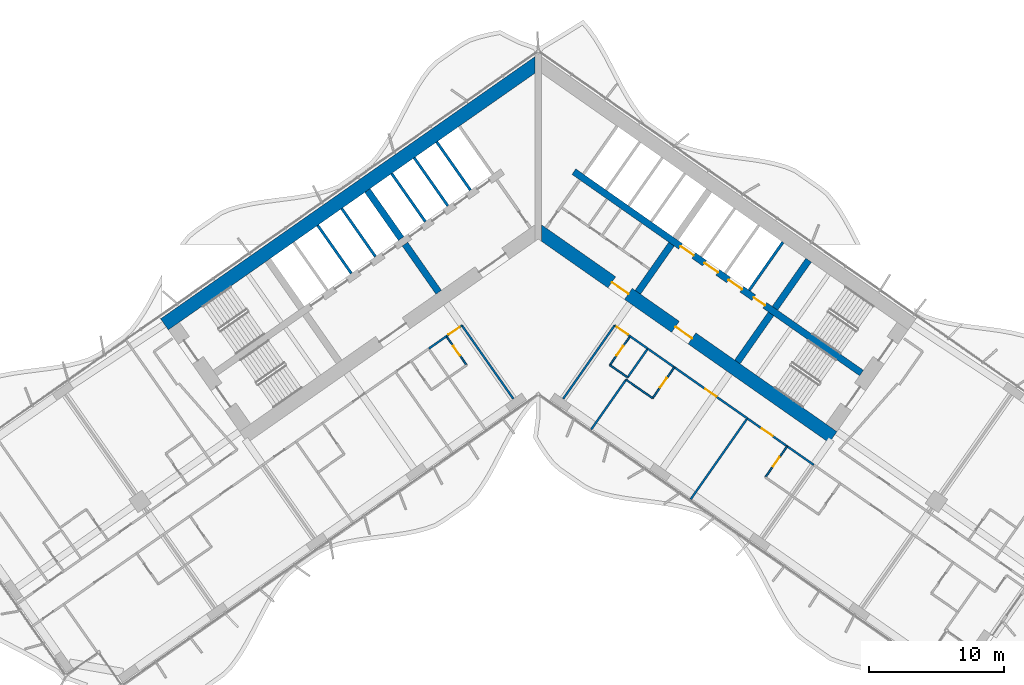
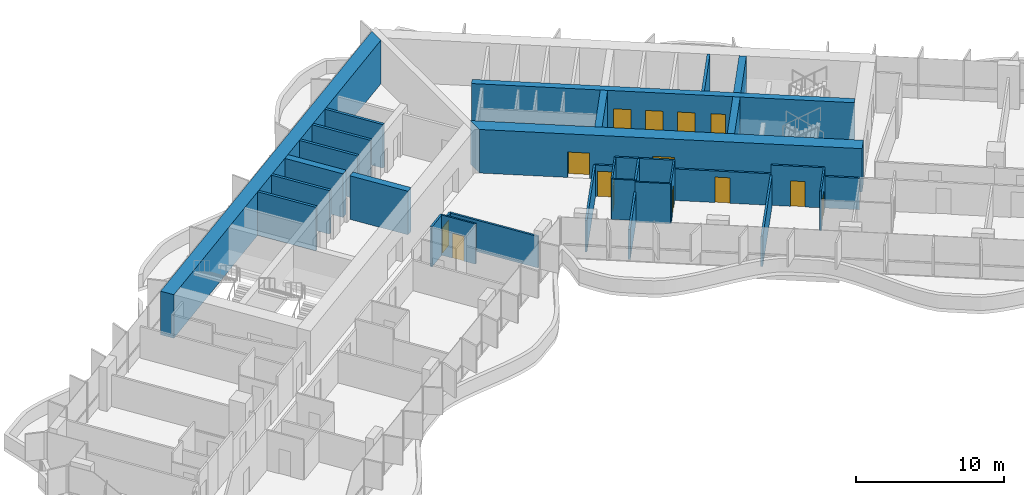
# One storey, part 15 of 25: 33 walls, 14 doors, 14 openings.
"""IFC4 building model written with IfcOpenShell, lengths in metres."""

import ifcopenshell
import ifcopenshell.guid

model = None  # the IFC model being written
_history = None  # IfcOwnerHistory: only IFC2X3 demands one
_inside = {}  # id of a spatial element -> (the spatial element, [elements in it])
_under = {}  # id of a project, library or spatial element -> (it, [spatial elements below it])
_declared = {}  # id of a project -> (the project, [libraries it declares])
_typed = {}  # id of a type object -> (the type object, [elements of that type])
_made_of = {}  # id of a material, layer set ... -> (it, [elements and type objects made of it])


def new_model(schema):
    """Start an empty IFC model of exactly this schema.

    Asked for "IFC4X3", IfcOpenShell would pick the latest addendum, in which some entities
    have other attributes; the version numbers below select the first issue.
    IFC2X3 requires an IfcOwnerHistory on every rooted entity: one is made here for all.
    """
    global model, _history
    if schema == "IFC4X3":
        model = ifcopenshell.file(schema_version=(4, 3, 0, 0))
    else:
        model = ifcopenshell.file(schema=schema)
    _inside.clear()
    _under.clear()
    _declared.clear()
    _typed.clear()
    _made_of.clear()
    _history = None
    if model.schema == "IFC2X3":
        org = make("IfcOrganization", Name="unknown")
        user = make(
            "IfcPersonAndOrganization",
            ThePerson=make("IfcPerson", FamilyName="unknown"),
            TheOrganization=org,
        )
        app = make(
            "IfcApplication",
            ApplicationDeveloper=org,
            Version="unknown",
            ApplicationFullName="unknown",
            ApplicationIdentifier="unknown",
        )
        _history = make(
            "IfcOwnerHistory",
            OwningUser=user,
            OwningApplication=app,
            ChangeAction="ADDED",
            CreationDate=0,
        )
    return model


def make(cls, **values):
    """One entity of the class cls with the attributes given. An attribute that is None is left unset."""
    return model.create_entity(
        cls, **{name: value for name, value in values.items() if value is not None}
    )


def rooted(cls, **values):
    """An entity with a GlobalId (a new one), such as an element, a storey or a relation."""
    return make(cls, GlobalId=ifcopenshell.guid.new(), OwnerHistory=_history, **values)


def si_unit(unit_type, name, prefix=None):
    """IfcSIUnit, for example si_unit("LENGTHUNIT", "METRE", prefix="MILLI")."""
    return make("IfcSIUnit", UnitType=unit_type, Prefix=prefix, Name=name)


def assignment(units):
    """IfcUnitAssignment: the units of a project."""
    return None if units is None else make("IfcUnitAssignment", Units=units)


def point(xyz):
    """IfcCartesianPoint."""
    return None if xyz is None else make("IfcCartesianPoint", Coordinates=xyz)


def direction(xyz):
    """IfcDirection."""
    return None if xyz is None else make("IfcDirection", DirectionRatios=xyz)


def frame(location, z_axis=None, x_axis=None):
    """IfcAxis2Placement3D, a coordinate frame: its origin and axes. An axis left out is left unset."""
    return make(
        "IfcAxis2Placement3D",
        Location=point(location),
        Axis=direction(z_axis),
        RefDirection=direction(x_axis),
    )


def frame_2d(location, x_axis=None):
    """IfcAxis2Placement2D, a coordinate frame in the plane: its origin and x axis."""
    return make(
        "IfcAxis2Placement2D", Location=point(location), RefDirection=direction(x_axis)
    )


def origin():
    """The frame at (0, 0, 0) with its axes left unset."""
    return frame((0.0, 0.0, 0.0))


def place(relative_to, where):
    """IfcLocalPlacement: puts the frame where relative to a parent placement (None: the world)."""
    return make(
        "IfcLocalPlacement", PlacementRelTo=relative_to, RelativePlacement=where
    )


def context(
    kind, dimensions, precision=None, world=None, true_north=None, identifier=None
):
    """IfcGeometricRepresentationContext, for example the 3D "Model" context."""
    return make(
        "IfcGeometricRepresentationContext",
        ContextIdentifier=identifier,
        ContextType=kind,
        CoordinateSpaceDimension=dimensions,
        Precision=precision,
        WorldCoordinateSystem=world,
        TrueNorth=true_north,
    )


def subcontext(parent, identifier, kind, view, scale=None):
    """IfcGeometricRepresentationSubContext, for example "Body" below "Model"."""
    return make(
        "IfcGeometricRepresentationSubContext",
        ContextIdentifier=identifier,
        ContextType=kind,
        ParentContext=parent,
        TargetScale=scale,
        TargetView=view,
    )


def project(units=None, contexts=None):
    """IfcProject with its units and contexts."""
    return rooted(
        "IfcProject",
        Name="project",
        RepresentationContexts=contexts,
        UnitsInContext=assignment(units),
    )


def spatial(cls, under=None, at=None, **own):
    """A site, building, storey or space (cls), placed at a placement, below another one or the project."""
    s = rooted(cls, ObjectPlacement=at, **own)
    if under is not None:
        _under.setdefault(under.id(), (under, []))[1].append(s)
    return s


def polyline(points):
    """IfcPolyline through the points."""
    return make("IfcPolyline", Points=[point(p) for p in points])


def profile(cls, at=None, kind="AREA", **sizes):
    """A parametric profile (cls). Its sizes go by their IFC names, for example OverallWidth=200.0."""
    return make(cls, ProfileType=kind, Position=at, **sizes)


def rectangle(**sizes):
    """IfcRectangleProfileDef."""
    return profile("IfcRectangleProfileDef", **sizes)


def outline(outer, holes=None, kind="AREA"):
    """IfcArbitraryClosedProfileDef: a profile drawn as a closed curve; with holes, ...WithVoids."""
    if holes is None:
        return make("IfcArbitraryClosedProfileDef", ProfileType=kind, OuterCurve=outer)
    return make(
        "IfcArbitraryProfileDefWithVoids",
        ProfileType=kind,
        OuterCurve=outer,
        InnerCurves=holes,
    )


def extrude(swept, where, along, depth):
    """IfcExtrudedAreaSolid: the profile swept, set in the frame where, extruded along a direction by depth."""
    return make(
        "IfcExtrudedAreaSolid",
        SweptArea=swept,
        Position=where,
        ExtrudedDirection=direction(along),
        Depth=depth,
    )


def shape(context_of_items, identifier, shape_type, items):
    """IfcShapeRepresentation: the items that make up one representation, for example the "Body"."""
    return make(
        "IfcShapeRepresentation",
        ContextOfItems=context_of_items,
        RepresentationIdentifier=identifier,
        RepresentationType=shape_type,
        Items=items,
    )


def material(Name=None, Category=None):
    """IfcMaterial."""
    return make("IfcMaterial", Name=Name, Category=Category)


def layer(
    of_material, thickness, ventilated=None, Name=None, Category=None, Priority=None
):
    """IfcMaterialLayer: one layer of a wall or slab, of a material (None: an air gap)."""
    return make(
        "IfcMaterialLayer",
        Material=of_material,
        LayerThickness=thickness,
        IsVentilated=ventilated,
        Name=Name,
        Category=Category,
        Priority=Priority,
    )


def layer_set(layers, Name=None):
    """IfcMaterialLayerSet."""
    return make("IfcMaterialLayerSet", MaterialLayers=layers, LayerSetName=Name)


def made_of(thing, what):
    """Note that an element or type object is made of a material, layer set ...; save() writes the relation."""
    if what is not None:
        _made_of.setdefault(what.id(), (what, []))[1].append(thing)
    return thing


def type_object(cls, material=None, **own):
    """A type object (cls), such as IfcWallType, which elements share."""
    return made_of(rooted(cls, **own), material)


def element(
    cls,
    number,
    at=None,
    inside=None,
    cuts=None,
    type_object=None,
    material=None,
    context=None,
    identifier="Body",
    shape_type=None,
    held_by="IfcProductDefinitionShape",
    body=None,
    shapes=None,
    **own,
):
    """One element of the class cls, such as IfcWall. Its Tag is "e" and its number.

    at: its placement. inside: the storey or other place that contains it. cuts: it is an
    opening in that element (IfcRelVoidsElement). A single representation is given by context,
    identifier, shape_type and body (its items); several are given by shapes. held_by: the class
    of the entity that holds the representations. save() writes the other relations.
    """
    e = rooted(cls, Tag="e%d" % number, ObjectPlacement=at, **own)
    if body is not None:
        shapes = [shape(context, identifier, shape_type, body)]
    if shapes is not None:
        e.Representation = make(held_by, Representations=shapes)
    if inside is not None:
        _inside.setdefault(inside.id(), (inside, []))[1].append(e)
    if cuts is not None:
        rooted(
            "IfcRelVoidsElement", RelatingBuildingElement=cuts, RelatedOpeningElement=e
        )
    if type_object is not None:
        _typed.setdefault(type_object.id(), (type_object, []))[1].append(e)
    return made_of(e, material)


def fill(opening, filler):
    """IfcRelFillsElement: the door or window that sits in an opening."""
    return rooted(
        "IfcRelFillsElement",
        RelatingOpeningElement=opening,
        RelatedBuildingElement=filler,
    )


def aggregate(whole, parts):
    """IfcRelAggregates: a whole, such as a stair, and the parts it consists of."""
    return rooted("IfcRelAggregates", RelatingObject=whole, RelatedObjects=parts)


def save(model, path):
    """Write the relations noted so far, then the file.

    IfcRelAggregates (storeys below a building ...), IfcRelContainedInSpatialStructure (elements
    in a storey), IfcRelDefinesByType, IfcRelAssociatesMaterial and IfcRelDeclares: one each for
    every whole, place, type object, material and project.
    """
    for whole, parts in _under.values():
        aggregate(whole, parts)
    for where, things in _inside.values():
        rooted(
            "IfcRelContainedInSpatialStructure",
            RelatedElements=things,
            RelatingStructure=where,
        )
    for kind, things in _typed.values():
        rooted("IfcRelDefinesByType", RelatedObjects=things, RelatingType=kind)
    for what, things in _made_of.values():
        rooted("IfcRelAssociatesMaterial", RelatedObjects=things, RelatingMaterial=what)
    for by, libraries in _declared.values():
        rooted("IfcRelDeclares", RelatingContext=by, RelatedDefinitions=libraries)
    model.write(path)


model = new_model("IFC4")

# Units and contexts
model_context = context("Model", 3, precision=1e-05, world=origin(), true_north=direction((0.0, 1.0)))
body_context = subcontext(model_context, "Body", "Model", "MODEL_VIEW")
ifc_project = project(units=[si_unit("LENGTHUNIT", "METRE"), si_unit("AREAUNIT", "SQUARE_METRE"), si_unit("VOLUMEUNIT", "CUBIC_METRE"), si_unit("PLANEANGLEUNIT", "RADIAN"), si_unit("MASSUNIT", "GRAM", prefix="KILO")], contexts=[model_context])

# Site, building, storey
site_placement = place(None, origin())
site = spatial("IfcSite", under=ifc_project, at=site_placement, CompositionType="ELEMENT")
building_placement = place(site_placement, origin())
building = spatial("IfcBuilding", under=site, at=building_placement, Name="Tel Ilan Convention Tower", CompositionType="ELEMENT")
storey_placement = place(building_placement, frame((0.0, 0.0, 76.10009765625)))
storey = spatial("IfcBuildingStorey", under=building, at=storey_placement, Name="L14", CompositionType="ELEMENT", Elevation=76.10009765625)

# Wall
ifc_material_1 = material(Name="Concrete C60/75", Category="concrete")
ifc_layer_1 = layer(ifc_material_1, 1.0)
ifc_layer_set_1 = layer_set([ifc_layer_1], Name="Core Shear Wall 1000 mm C60/75")
wall_type_1 = type_object("IfcWallType", Name="Core Shear Wall 1000 mm C60/75", PredefinedType="SHEAR", material=ifc_layer_set_1)
wall_1_placement = place(storey_placement, frame((0.036865234375, 11.8671875, 0.0), z_axis=(0.0, 0.0, 1.0), x_axis=(-0.819155306259, -0.573571777746, 0.0)))
element("IfcWall", 1, at=wall_1_placement, inside=storey, type_object=wall_type_1, Name="L14 core wall W-back", PredefinedType="SHEAR", context=body_context, shape_type="SweptSolid", body=[
    extrude(outline(polyline([(33.8369140625, 0.5), (0.7001953125, 0.499755859375), (0.0, -0.5), (33.8369140625, -0.5), (33.8369140625, 0.5)])), origin(), (0.0, 0.0, 1.0), 3.599853515625),
])

# Wall, openings, doors
wall_2_placement = place(storey_placement, frame((-0.036865234375, -0.584716796875, 0.0), z_axis=(0.0, 0.0, 1.0), x_axis=(0.819157152511, -0.573569140985, 0.0)))
wall_2 = element("IfcWall", 2, at=wall_2_placement, inside=storey, type_object=wall_type_1, Name="L14 core wall E-front", PredefinedType="SHEAR", context=body_context, shape_type="SweptSolid", body=[
    extrude(outline(polyline([(26.69482421875, 0.499755859375), (0.0, 0.5), (0.7001953125, -0.499755859375), (26.69482421875, -0.500244140625), (26.69482421875, 0.499755859375)])), origin(), (0.0, 0.0, 1.0), 3.599853515625),
])
opening_1_placement = place(wall_2_placement, frame((6.69482421875, 0.0, 0.0)))
opening_1 = element("IfcOpeningElement", 3, at=opening_1_placement, cuts=wall_2, Name="Opening CD1403", PredefinedType="OPENING", context=body_context, shape_type="SweptSolid", body=[
    extrude(rectangle(XDim=1.5, YDim=2.10009765625, at=frame_2d((0.75, 1.050048828125))), frame((0.0, 0.510009765625, 0.0), z_axis=(0.0, -1.0, 0.0), x_axis=(1.0, 0.0, 0.0)), (0.0, 0.0, 1.0), 1.02001953125),
])
opening_2_placement = place(wall_2_placement, frame((12.44482421875, 0.0, 0.0)))
opening_2 = element("IfcOpeningElement", 4, at=opening_2_placement, cuts=wall_2, Name="Opening CD1404", PredefinedType="OPENING", context=body_context, shape_type="SweptSolid", body=[
    extrude(rectangle(XDim=1.5, YDim=2.10009765625, at=frame_2d((0.75, 1.050048828125))), frame((0.0, 0.510009765625, 0.0), z_axis=(0.0, -1.0, 0.0), x_axis=(1.0, 0.0, 0.0)), (0.0, 0.0, 1.0), 1.02001953125),
])
ifc_material_2 = material(Name="Glazed Aluminium Door Leaf", Category="aluminium")
door_type_1 = type_object("IfcDoorType", Name="Lobby Opening Door 1500 x 2100 FD60S", OperationType="NOTDEFINED", PredefinedType="DOOR", material=ifc_material_2)
door_1_placement = place(opening_2_placement, origin())
door_1 = element("IfcDoor", 5, at=door_1_placement, inside=storey, type_object=door_type_1, Name="Firefighting Lobby door", OperationType="DOUBLE_DOOR_SINGLE_SWING", OverallHeight=2.10009765625, OverallWidth=1.5, PredefinedType="DOOR", context=body_context, shape_type="SweptSolid", body=[
    extrude(rectangle(XDim=1.5, YDim=2.10009765625, at=frame_2d((0.75, 1.050048828125))), frame((0.0, 0.02490234375, 0.0), z_axis=(0.0, -1.0, 0.0), x_axis=(1.0, 0.0, 0.0)), (0.0, 0.0, 1.0), 0.050048828125),
])
fill(opening_2, door_1)
ifc_material_3 = material(Name="Laminated Timber Door Leaf", Category="wood")
door_type_2 = type_object("IfcDoorType", Name="Toilet Door 1500 x 2100 FD30S", OperationType="NOTDEFINED", PredefinedType="DOOR", material=ifc_material_3)
door_2_placement = place(opening_1_placement, origin())
door_2 = element("IfcDoor", 6, at=door_2_placement, inside=storey, type_object=door_type_2, Name="WC Lobby door", OperationType="SINGLE_SWING_RIGHT", OverallHeight=2.10009765625, OverallWidth=1.5, PredefinedType="DOOR", context=body_context, shape_type="SweptSolid", body=[
    extrude(rectangle(XDim=1.5, YDim=2.10009765625, at=frame_2d((0.75, 1.050048828125))), frame((0.0, 0.02490234375, 0.0), z_axis=(0.0, -1.0, 0.0), x_axis=(1.0, 0.0, 0.0)), (0.0, 0.0, 1.0), 0.050048828125),
])
fill(opening_1, door_2)

# Walls
ifc_material_4 = material(Name="Concrete C60/75", Category="concrete")
ifc_layer_2 = layer(ifc_material_4, 0.5)
ifc_layer_set_2 = layer_set([ifc_layer_2], Name="Core Shear Wall 500 mm C60/75")
wall_type_2 = type_object("IfcWallType", Name="Core Shear Wall 500 mm C60/75", PredefinedType="SHEAR", material=ifc_layer_set_2)
wall_3_placement = place(storey_placement, frame((-7.372314453125, -5.162109375, 0.0), z_axis=(0.0, 0.0, 1.0), x_axis=(-0.573594173421, 0.819139624372, 0.0)))
element("IfcWall", 7, at=wall_3_placement, inside=storey, type_object=wall_type_2, Name="L14 core wall W-cross1-1", PredefinedType="SHEAR", context=body_context, shape_type="SweptSolid", body=[
    extrude(outline(polyline([(4.349853515625, 0.25), (0.0, 0.250244140625), (0.0, -0.25), (4.349853515625, -0.25), (4.349853515625, 0.25)])), origin(), (0.0, 0.0, 1.0), 3.599853515625),
])
wall_4_placement = place(storey_placement, frame((-10.154296875, -1.189208984375, 0.0), z_axis=(0.0, 0.0, 1.0), x_axis=(-0.573594173421, 0.819139624372, 0.0)))
element("IfcWall", 8, at=wall_4_placement, inside=storey, type_object=wall_type_2, Name="L14 core wall W-cross1-2", PredefinedType="SHEAR", context=body_context, shape_type="SweptSolid", body=[
    extrude(outline(polyline([(4.349853515625, -0.25), (4.349853515625, 0.25), (-0.000244140625, 0.25), (-0.000244140625, -0.25), (4.349853515625, -0.25)])), origin(), (0.0, 0.0, 1.0), 3.599853515625),
])
wall_5_placement = place(storey_placement, frame((7.372314453125, -5.162109375, 0.0), z_axis=(0.0, 0.0, 1.0), x_axis=(0.573594173421, 0.819139624372, 0.0)))
element("IfcWall", 9, at=wall_5_placement, inside=storey, type_object=wall_type_2, Name="L14 core wall E-cross1-1", PredefinedType="SHEAR", context=body_context, shape_type="SweptSolid", body=[
    extrude(outline(polyline([(0.0, 0.25), (0.0, -0.250244140625), (4.349853515625, -0.25), (4.349853515625, 0.25), (0.0, 0.25)])), origin(), (0.0, 0.0, 1.0), 3.599853515625),
])
wall_6_placement = place(storey_placement, frame((14.74462890625, -10.324462890625, 0.0), z_axis=(0.0, 0.0, 1.0), x_axis=(0.57356780395, 0.819158088694, 0.0)))
element("IfcWall", 10, at=wall_6_placement, inside=storey, type_object=wall_type_2, Name="L14 core wall E-cross2-1", PredefinedType="SHEAR", context=body_context, shape_type="SweptSolid", body=[
    extrude(outline(polyline([(0.0, 0.25), (0.0, -0.25), (4.35009765625, -0.250244140625), (4.35009765625, 0.25), (0.0, 0.25)])), origin(), (0.0, 0.0, 1.0), 3.599853515625),
])
wall_7_placement = place(storey_placement, frame((17.526611328125, -6.3515625, 0.0), z_axis=(0.0, 0.0, 1.0), x_axis=(0.573530143085, 0.819184457233, 0.0)))
element("IfcWall", 11, at=wall_7_placement, inside=storey, type_object=wall_type_2, Name="L14 core wall E-cross2-2", PredefinedType="SHEAR", context=body_context, shape_type="SweptSolid", body=[
    extrude(outline(polyline([(4.35009765625, -0.250244140625), (4.35009765625, 0.249755859375), (0.0, 0.25), (0.0, -0.25), (4.35009765625, -0.250244140625)])), origin(), (0.0, 0.0, 1.0), 3.599853515625),
])

# Wall, openings, doors
wall_8_placement = place(storey_placement, frame((2.638427734375, 3.76806640625, 0.0), z_axis=(0.0, 0.0, 1.0), x_axis=(0.819148977158, -0.573580816643, 0.0)))
wall_8 = element("IfcWall", 12, at=wall_8_placement, inside=storey, type_object=wall_type_2, Name="L14 core wall E-spine", PredefinedType="SHEAR", context=body_context, shape_type="SweptSolid", body=[
    extrude(outline(polyline([(0.0, 0.25), (0.0, -0.25), (26.0, -0.249755859375), (26.0, 0.250244140625), (0.0, 0.25)])), origin(), (0.0, 0.0, 1.0), 3.599853515625),
])
opening_3_placement = place(wall_8_placement, frame((9.637451171875, 0.0, 0.0)))
opening_3 = element("IfcOpeningElement", 13, at=opening_3_placement, cuts=wall_8, Name="Opening LD1401", PredefinedType="OPENING", context=body_context, shape_type="SweptSolid", body=[
    extrude(rectangle(XDim=1.199951171875, YDim=2.10009765625, at=frame_2d((0.60009765625, 1.050048828125))), frame((0.0, 0.260009765625, 0.0), z_axis=(0.0, -1.0, 0.0), x_axis=(1.0, 0.0, 0.0)), (0.0, 0.0, 1.0), 0.52001953125),
])
opening_4_placement = place(wall_8_placement, frame((11.8125, 0.0, 0.0)))
opening_4 = element("IfcOpeningElement", 14, at=opening_4_placement, cuts=wall_8, Name="Opening LD1402", PredefinedType="OPENING", context=body_context, shape_type="SweptSolid", body=[
    extrude(rectangle(XDim=1.199951171875, YDim=2.10009765625, at=frame_2d((0.60009765625, 1.050048828125))), frame((0.0, 0.260009765625, 0.0), z_axis=(0.0, -1.0, 0.0), x_axis=(1.0, 0.0, 0.0)), (0.0, 0.0, 1.0), 0.52001953125),
])
opening_5_placement = place(wall_8_placement, frame((13.987548828125, 0.0, 0.0)))
opening_5 = element("IfcOpeningElement", 15, at=opening_5_placement, cuts=wall_8, Name="Opening LD1403", PredefinedType="OPENING", context=body_context, shape_type="SweptSolid", body=[
    extrude(rectangle(XDim=1.199951171875, YDim=2.10009765625, at=frame_2d((0.60009765625, 1.050048828125))), frame((0.0, 0.260009765625, 0.0), z_axis=(0.0, -1.0, 0.0), x_axis=(1.0, 0.0, 0.0)), (0.0, 0.0, 1.0), 0.52001953125),
])
opening_6_placement = place(wall_8_placement, frame((16.262451171875, 0.0, 0.0)))
opening_6 = element("IfcOpeningElement", 16, at=opening_6_placement, cuts=wall_8, Name="Opening CD1407", PredefinedType="OPENING", context=body_context, shape_type="SweptSolid", body=[
    extrude(rectangle(XDim=1.0, YDim=2.10009765625, at=frame_2d((0.5, 1.050048828125))), frame((0.0, 0.260009765625, 0.0), z_axis=(0.0, -1.0, 0.0), x_axis=(1.0, 0.0, 0.0)), (0.0, 0.0, 1.0), 0.52001953125),
])
ifc_material_5 = material(Name="Stainless Steel Sliding Door Leaf", Category="steel")
door_type_3 = type_object("IfcDoorType", Name="Lift Landing Door 1200 x 2100 FD120", OperationType="NOTDEFINED", PredefinedType="DOOR", material=ifc_material_5)
door_3_placement = place(opening_3_placement, origin())
door_3 = element("IfcDoor", 17, at=door_3_placement, inside=storey, type_object=door_type_3, Name="Lift FL1 landing door", OperationType="SLIDING_TO_LEFT", OverallHeight=2.10009765625, OverallWidth=1.199951171875, PredefinedType="DOOR", context=body_context, shape_type="SweptSolid", body=[
    extrude(rectangle(XDim=1.199951171875, YDim=2.10009765625, at=frame_2d((0.60009765625, 1.050048828125))), frame((0.0, 0.02490234375, 0.0), z_axis=(0.0, -1.0, 0.0), x_axis=(1.0, 0.0, 0.0)), (0.0, 0.0, 1.0), 0.050048828125),
])
fill(opening_3, door_3)
door_4_placement = place(opening_4_placement, origin())
door_4 = element("IfcDoor", 18, at=door_4_placement, inside=storey, type_object=door_type_3, Name="Lift FL2 landing door", OperationType="SLIDING_TO_RIGHT", OverallHeight=2.10009765625, OverallWidth=1.199951171875, PredefinedType="DOOR", context=body_context, shape_type="SweptSolid", body=[
    extrude(rectangle(XDim=1.199951171875, YDim=2.10009765625, at=frame_2d((0.60009765625, 1.050048828125))), frame((0.0, 0.02490234375, 0.0), z_axis=(0.0, -1.0, 0.0), x_axis=(1.0, 0.0, 0.0)), (0.0, 0.0, 1.0), 0.050048828125),
])
fill(opening_4, door_4)
door_5_placement = place(opening_5_placement, origin())
door_5 = element("IfcDoor", 19, at=door_5_placement, inside=storey, type_object=door_type_3, Name="Lift FL3 landing door", OperationType="SLIDING_TO_LEFT", OverallHeight=2.10009765625, OverallWidth=1.199951171875, PredefinedType="DOOR", context=body_context, shape_type="SweptSolid", body=[
    extrude(rectangle(XDim=1.199951171875, YDim=2.10009765625, at=frame_2d((0.60009765625, 1.050048828125))), frame((0.0, 0.02490234375, 0.0), z_axis=(0.0, -1.0, 0.0), x_axis=(1.0, 0.0, 0.0)), (0.0, 0.0, 1.0), 0.050048828125),
])
fill(opening_5, door_5)
ifc_material_6 = material(Name="Galvanised Steel Door Leaf", Category="steel")
door_type_4 = type_object("IfcDoorType", Name="Service Room Door 1000 x 2100 FD60", OperationType="NOTDEFINED", PredefinedType="DOOR", material=ifc_material_6)
door_6_placement = place(opening_6_placement, origin())
door_6 = element("IfcDoor", 20, at=door_6_placement, inside=storey, type_object=door_type_4, Name="Plant Room door", OperationType="SINGLE_SWING_RIGHT", OverallHeight=2.10009765625, OverallWidth=1.0, PredefinedType="DOOR", context=body_context, shape_type="SweptSolid", body=[
    extrude(rectangle(XDim=1.0, YDim=2.10009765625, at=frame_2d((0.5, 1.050048828125))), frame((0.0, 0.02490234375, 0.0), z_axis=(0.0, -1.0, 0.0), x_axis=(1.0, 0.0, 0.0)), (0.0, 0.0, 1.0), 0.050048828125),
])
fill(opening_6, door_6)

# Wall, opening, door
ifc_material_7 = material(Name="Plasterboard on Steel Studs", Category="steel")
ifc_layer_3 = layer(ifc_material_7, 0.14990234375)
ifc_layer_set_3 = layer_set([ifc_layer_3], Name="Fire-rated Partition 150 EI 60")
wall_type_3 = type_object("IfcWallType", Name="Fire-rated Partition 150 EI 60", PredefinedType="PARTITIONING", material=ifc_layer_set_3)
wall_9_placement = place(storey_placement, frame((6.79931640625, -8.423095703125, 0.0), z_axis=(0.0, 0.0, 1.0), x_axis=(-0.819207359301, 0.573497430219, 0.0)))
wall_9 = element("IfcWall", 21, at=wall_9_placement, inside=storey, type_object=wall_type_3, Name="Partition 005", PredefinedType="PARTITIONING", context=body_context, shape_type="SweptSolid", body=[
    extrude(rectangle(XDim=1.40087890625, YDim=0.14990234375, at=frame_2d((0.700439453125, 0.0))), origin(), (0.0, 0.0, 1.0), 2.599853515625),
])
opening_7_placement = place(wall_9_placement, frame((0.200927734375, 0.0, 0.0)))
opening_7 = element("IfcOpeningElement", 22, at=opening_7_placement, cuts=wall_9, Name="Opening L14-022", PredefinedType="OPENING", context=body_context, shape_type="SweptSolid", body=[
    extrude(rectangle(XDim=1.0, YDim=2.10009765625, at=frame_2d((0.5, 1.050048828125))), frame((0.0, 0.0849609375, 0.0), z_axis=(0.0, -1.0, 0.0), x_axis=(1.0, 0.0, 0.0)), (0.0, 0.0, 1.0), 0.169921875),
])
ifc_material_8 = material(Name="Timber Door Leaf in Steel Frame", Category="steel")
door_type_5 = type_object("IfcDoorType", Name="Hotel Room Entrance Fire Door 1000x2100", OperationType="NOTDEFINED", PredefinedType="DOOR", material=ifc_material_8)
door_7_placement = place(opening_7_placement, origin())
door_7 = element("IfcDoor", 23, at=door_7_placement, inside=storey, type_object=door_type_5, Name="Door L14-022", OperationType="SINGLE_SWING_LEFT", OverallHeight=2.10009765625, OverallWidth=1.0, PredefinedType="DOOR", context=body_context, shape_type="SweptSolid", body=[
    extrude(rectangle(XDim=1.0, YDim=2.10009765625, at=frame_2d((0.5, 1.050048828125))), frame((0.0, 0.02490234375, 0.0), z_axis=(0.0, -1.0, 0.0), x_axis=(1.0, 0.0, 0.0)), (0.0, 0.0, 1.0), 0.050048828125),
])
fill(opening_7, door_7)

# Wall
wall_10_placement = place(storey_placement, frame((8.110595703125, -9.341552734375, 0.0), z_axis=(0.0, 0.0, 1.0), x_axis=(-0.8190674132, 0.573697283098, 0.0)))
element("IfcWall", 24, at=wall_10_placement, inside=storey, type_object=wall_type_3, Name="Partition 006", PredefinedType="PARTITIONING", context=body_context, shape_type="SweptSolid", body=[
    extrude(rectangle(XDim=1.60400390625, YDim=0.14990234375, at=frame_2d((0.802001953125, 0.0))), origin(), (0.0, 0.0, 1.0), 3.31982421875),
])

# Wall, opening, door
wall_11_placement = place(storey_placement, frame((15.483154296875, -14.503662109375, 0.0), z_axis=(0.0, 0.0, 1.0), x_axis=(-0.819153746897, 0.573574004767, 0.0)))
wall_11 = element("IfcWall", 25, at=wall_11_placement, inside=storey, type_object=wall_type_3, Name="Partition 007", PredefinedType="PARTITIONING", context=body_context, shape_type="SweptSolid", body=[
    extrude(rectangle(XDim=6.60302734375, YDim=0.14990234375, at=frame_2d((3.301513671875, 0.0))), origin(), (0.0, 0.0, 1.0), 2.599853515625),
])
opening_8_placement = place(wall_11_placement, frame((2.802001953125, 0.0, 0.0)))
opening_8 = element("IfcOpeningElement", 26, at=opening_8_placement, cuts=wall_11, Name="Opening L14-024", PredefinedType="OPENING", context=body_context, shape_type="SweptSolid", body=[
    extrude(rectangle(XDim=1.0, YDim=2.10009765625, at=frame_2d((0.5, 1.050048828125))), frame((0.0, 0.0849609375, 0.0), z_axis=(0.0, -1.0, 0.0), x_axis=(1.0, 0.0, 0.0)), (0.0, 0.0, 1.0), 0.169921875),
])
door_8_placement = place(opening_8_placement, origin())
door_8 = element("IfcDoor", 27, at=door_8_placement, inside=storey, type_object=door_type_5, Name="Door L14-024", OperationType="SINGLE_SWING_LEFT", OverallHeight=2.10009765625, OverallWidth=1.0, PredefinedType="DOOR", context=body_context, shape_type="SweptSolid", body=[
    extrude(rectangle(XDim=1.0, YDim=2.10009765625, at=frame_2d((0.5, 1.050048828125))), frame((0.0, 0.02490234375, 0.0), z_axis=(0.0, -1.0, 0.0), x_axis=(1.0, 0.0, 0.0)), (0.0, 0.0, 1.0), 0.050048828125),
])
fill(opening_8, door_8)

# Wall
wall_12_placement = place(storey_placement, frame((10.07666015625, -10.718017578125, 0.0), z_axis=(0.0, 0.0, 1.0), x_axis=(-0.819146032251, 0.573585022335, 0.0)))
element("IfcWall", 28, at=wall_12_placement, inside=storey, type_object=wall_type_3, Name="Partition 008", PredefinedType="PARTITIONING", context=body_context, shape_type="SweptSolid", body=[
    extrude(rectangle(XDim=2.404052734375, YDim=0.14990234375, at=frame_2d((1.2021484375, 0.0))), origin(), (0.0, 0.0, 1.0), 3.31982421875),
])

# Wall, opening, door
wall_13_placement = place(storey_placement, frame((18.43115234375, -16.568115234375, 0.0), z_axis=(0.0, 0.0, 1.0), x_axis=(-0.819145961204, 0.573585123798, 0.0)))
wall_13 = element("IfcWall", 29, at=wall_13_placement, inside=storey, type_object=wall_type_3, Name="Partition 009", PredefinedType="PARTITIONING", context=body_context, shape_type="SweptSolid", body=[
    extrude(rectangle(XDim=3.60302734375, YDim=0.14990234375, at=frame_2d((1.801513671875, 0.0))), origin(), (0.0, 0.0, 1.0), 3.31982421875),
])
opening_9_placement = place(wall_13_placement, frame((1.301025390625, 0.0, 0.0)))
opening_9 = element("IfcOpeningElement", 30, at=opening_9_placement, cuts=wall_13, Name="Opening L14-026", PredefinedType="OPENING", context=body_context, shape_type="SweptSolid", body=[
    extrude(rectangle(XDim=1.0, YDim=2.10009765625, at=frame_2d((0.5, 1.050048828125))), frame((0.0, 0.0849609375, 0.0), z_axis=(0.0, -1.0, 0.0), x_axis=(1.0, 0.0, 0.0)), (0.0, 0.0, 1.0), 0.169921875),
])
door_9_placement = place(opening_9_placement, origin())
door_9 = element("IfcDoor", 31, at=door_9_placement, inside=storey, type_object=door_type_5, Name="Door L14-026", OperationType="SINGLE_SWING_RIGHT", OverallHeight=2.10009765625, OverallWidth=1.0, PredefinedType="DOOR", context=body_context, shape_type="SweptSolid", body=[
    extrude(rectangle(XDim=1.0, YDim=2.10009765625, at=frame_2d((0.5, 1.050048828125))), frame((0.0, 0.02490234375, 0.0), z_axis=(0.0, -1.0, 0.0), x_axis=(1.0, 0.0, 0.0)), (0.0, 0.0, 1.0), 0.050048828125),
])
fill(opening_9, door_9)

# Wall
wall_14_placement = place(storey_placement, frame((20.39794921875, -17.9453125, 0.0), z_axis=(0.0, 0.0, 1.0), x_axis=(-0.819146032251, 0.573585022335, 0.0)))
element("IfcWall", 32, at=wall_14_placement, inside=storey, type_object=wall_type_3, Name="Partition 010", PredefinedType="PARTITIONING", context=body_context, shape_type="SweptSolid", body=[
    extrude(rectangle(XDim=2.404052734375, YDim=0.14990234375, at=frame_2d((1.2021484375, 0.0))), origin(), (0.0, 0.0, 1.0), 2.599853515625),
])

# Wall, opening, door
wall_15_placement = place(storey_placement, frame((-5.651611328125, -7.61962890625, 0.0), z_axis=(0.0, 0.0, 1.0), x_axis=(-0.819207359301, -0.573497430219, 0.0)))
wall_15 = element("IfcWall", 33, at=wall_15_placement, inside=storey, type_object=wall_type_3, Name="Partition 026", PredefinedType="PARTITIONING", context=body_context, shape_type="SweptSolid", body=[
    extrude(rectangle(XDim=1.40087890625, YDim=0.14990234375, at=frame_2d((0.700439453125, 0.0))), origin(), (0.0, 0.0, 1.0), 2.599853515625),
])
opening_10_placement = place(wall_15_placement, frame((0.199951171875, 0.0, 0.0)))
opening_10 = element("IfcOpeningElement", 34, at=opening_10_placement, cuts=wall_15, Name="Opening L14-002", PredefinedType="OPENING", context=body_context, shape_type="SweptSolid", body=[
    extrude(rectangle(XDim=1.0, YDim=2.10009765625, at=frame_2d((0.5, 1.050048828125))), frame((0.0, 0.0849609375, 0.0), z_axis=(0.0, -1.0, 0.0), x_axis=(1.0, 0.0, 0.0)), (0.0, 0.0, 1.0), 0.169921875),
])
door_10_placement = place(opening_10_placement, origin())
door_10 = element("IfcDoor", 35, at=door_10_placement, inside=storey, type_object=door_type_5, Name="Door L14-002", OperationType="SINGLE_SWING_LEFT", OverallHeight=2.10009765625, OverallWidth=1.0, PredefinedType="DOOR", context=body_context, shape_type="SweptSolid", body=[
    extrude(rectangle(XDim=1.0, YDim=2.10009765625, at=frame_2d((0.5, 1.050048828125))), frame((0.0, 0.02490234375, 0.0), z_axis=(0.0, -1.0, 0.0), x_axis=(1.0, 0.0, 0.0)), (0.0, 0.0, 1.0), 0.050048828125),
])
fill(opening_10, door_10)

# Walls
wall_16_placement = place(storey_placement, frame((-6.796875, -8.42138671875, 0.0), z_axis=(0.0, 0.0, 1.0), x_axis=(-0.8190674132, -0.573697283098, 0.0)))
element("IfcWall", 36, at=wall_16_placement, inside=storey, type_object=wall_type_3, Name="Partition 027", PredefinedType="PARTITIONING", context=body_context, shape_type="SweptSolid", body=[
    extrude(rectangle(XDim=1.60400390625, YDim=0.14990234375, at=frame_2d((0.802001953125, 0.0))), origin(), (0.0, 0.0, 1.0), 3.31982421875),
])
wall_17_placement = place(storey_placement, frame((6.503662109375, -11.63330078125, 0.0), z_axis=(0.0, 0.0, 1.0), x_axis=(-0.573556991349, -0.819165659482, 0.0)))
element("IfcWall", 37, at=wall_17_placement, inside=storey, type_object=wall_type_3, Name="Partition 049", PredefinedType="PARTITIONING", context=body_context, shape_type="SweptSolid", body=[
    extrude(rectangle(XDim=4.5009765625, YDim=0.14990234375, at=frame_2d((2.25048828125, 0.0))), origin(), (0.0, 0.0, 1.0), 2.5),
])
wall_18_placement = place(storey_placement, frame((1.848876953125, -13.050537109375, 0.0), z_axis=(0.0, 0.0, 1.0), x_axis=(0.57357355307, 0.819154063177, 0.0)))
element("IfcWall", 38, at=wall_18_placement, inside=storey, type_object=wall_type_3, Name="Partition 050", PredefinedType="PARTITIONING", context=body_context, shape_type="SweptSolid", body=[
    extrude(rectangle(XDim=6.6298828125, YDim=0.14990234375, at=frame_2d((3.31494140625, 0.0))), origin(), (0.0, 0.0, 1.0), 2.599853515625),
])
wall_19_placement = place(storey_placement, frame((8.109130859375, -9.34033203125, 0.0), z_axis=(0.0, 0.0, 1.0), x_axis=(-0.573537965655, -0.819178980414, 0.0)))
element("IfcWall", 39, at=wall_19_placement, inside=storey, type_object=wall_type_3, Name="Partition 051", PredefinedType="PARTITIONING", context=body_context, shape_type="SweptSolid", body=[
    extrude(rectangle(XDim=2.60009765625, YDim=0.14990234375, at=frame_2d((1.300048828125, 0.0))), origin(), (0.0, 0.0, 1.0), 3.31982421875),
])
wall_20_placement = place(storey_placement, frame((15.4814453125, -14.502685546875, 0.0), z_axis=(0.0, 0.0, 1.0), x_axis=(-0.573572324301, -0.819154923562, 0.0)))
element("IfcWall", 40, at=wall_20_placement, inside=storey, type_object=wall_type_3, Name="Partition 054", PredefinedType="PARTITIONING", context=body_context, shape_type="SweptSolid", body=[
    extrude(rectangle(XDim=7.2998046875, YDim=0.14990234375, at=frame_2d((3.64990234375, 0.0))), origin(), (0.0, 0.0, 1.0), 2.5),
])
wall_21_placement = place(storey_placement, frame((-1.848876953125, -13.050537109375, 0.0), z_axis=(0.0, 0.0, 1.0), x_axis=(-0.573575988258, 0.819152358047, 0.0)))
element("IfcWall", 41, at=wall_21_placement, inside=storey, type_object=wall_type_3, Name="Partition 066", PredefinedType="PARTITIONING", context=body_context, shape_type="SweptSolid", body=[
    extrude(rectangle(XDim=6.632080078125, YDim=0.14990234375, at=frame_2d((3.31591796875, 0.0))), origin(), (0.0, 0.0, 1.0), 2.599853515625),
])
ifc_material_9 = material(Name="Concrete C30/37", Category="concrete")
ifc_layer_4 = layer(ifc_material_9, 0.199951171875)
ifc_layer_set_4 = layer_set([ifc_layer_4], Name="Lift Shaft Wall 200 mm C30/37")
wall_type_4 = type_object("IfcWallType", Name="Lift Shaft Wall 200 mm C30/37", PredefinedType="SOLIDWALL", material=ifc_layer_set_4)
wall_22_placement = place(storey_placement, frame((-5.0244140625, 2.402587890625, 0.0), z_axis=(0.0, 0.0, 1.0), x_axis=(-0.573530143085, 0.819184457233, 0.0)))
element("IfcWall", 42, at=wall_22_placement, inside=storey, type_object=wall_type_4, Name="L14 core wall bank-W1-p0", PredefinedType="SOLIDWALL", context=body_context, shape_type="SweptSolid", body=[
    extrude(rectangle(XDim=4.35009765625, YDim=0.199951171875, at=frame_2d((2.175048828125, 0.0))), origin(), (0.0, 0.0, 1.0), 3.599853515625),
])
for number, where, z_axis, x_axis, name in (
    (43, (-6.693359375, 1.234130859375, 0.0), (0.0, 0.0, 1.0), (-0.573594173421, 0.819139624372, 0.0), "L14 core wall bank-W1-p1"),
    (44, (-8.3623046875, 0.0654296875, 0.0), (0.0, 0.0, 1.0), (-0.573594173421, 0.819139624372, 0.0), "L14 core wall bank-W1-p2"),
    (45, (-12.05859375, -2.52294921875, 0.0), (0.0, 0.0, 1.0), (-0.573594173421, 0.819139624372, 0.0), "L14 core wall bank-W2-p0"),
):
    element("IfcWall", number, at=place(storey_placement, frame(where, z_axis=z_axis, x_axis=x_axis)), inside=storey, type_object=wall_type_4, Name=name, PredefinedType="SOLIDWALL", context=body_context, shape_type="SweptSolid", body=[
        extrude(rectangle(XDim=4.349853515625, YDim=0.199951171875, at=frame_2d((2.1748046875, 0.0))), origin(), (0.0, 0.0, 1.0), 3.599853515625),
    ])
wall_23_placement = place(storey_placement, frame((-13.84033203125, -3.7705078125, 0.0), z_axis=(0.0, 0.0, 1.0), x_axis=(-0.57356780395, 0.819158088694, 0.0)))
element("IfcWall", 46, at=wall_23_placement, inside=storey, type_object=wall_type_4, Name="L14 core wall bank-W2-p1", PredefinedType="SOLIDWALL", context=body_context, shape_type="SweptSolid", body=[
    extrude(rectangle(XDim=4.35009765625, YDim=0.199951171875, at=frame_2d((2.175048828125, 0.0))), origin(), (0.0, 0.0, 1.0), 3.599853515625),
])
wall_24_placement = place(storey_placement, frame((15.6220703125, -5.017822265625, 0.0), z_axis=(0.0, 0.0, 1.0), x_axis=(0.573594173421, 0.819139624372, 0.0)))
element("IfcWall", 47, at=wall_24_placement, inside=storey, type_object=wall_type_4, Name="L14 core wall bank-E2-p2", PredefinedType="SOLIDWALL", context=body_context, shape_type="SweptSolid", body=[
    extrude(rectangle(XDim=4.349853515625, YDim=0.199951171875, at=frame_2d((2.1748046875, 0.0))), origin(), (0.0, 0.0, 1.0), 3.599853515625),
])

# Wall, opening, door
ifc_material_10 = material(Name="Plasterboard on Steel Studs", Category="steel")
ifc_layer_5 = layer(ifc_material_10, 0.1201171875)
ifc_layer_set_5 = layer_set([ifc_layer_5], Name="Moisture-resistant Partition 120")
wall_type_5 = type_object("IfcWallType", Name="Moisture-resistant Partition 120", PredefinedType="PARTITIONING", material=ifc_layer_set_5)
wall_25_placement = place(storey_placement, frame((6.797607421875, -8.422119140625, 0.0), z_axis=(0.0, 0.0, 1.0), x_axis=(-0.573537965655, -0.819178980414, 0.0)))
wall_25 = element("IfcWall", 48, at=wall_25_placement, inside=storey, type_object=wall_type_5, Name="Partition 047", PredefinedType="PARTITIONING", context=body_context, shape_type="SweptSolid", body=[
    extrude(rectangle(XDim=2.60009765625, YDim=0.1201171875, at=frame_2d((1.300048828125, 0.0))), origin(), (0.0, 0.0, 1.0), 3.31982421875),
])
opening_11_placement = place(wall_25_placement, frame((0.875, 0.0, 0.0)))
opening_11 = element("IfcOpeningElement", 49, at=opening_11_placement, cuts=wall_25, Name="Opening L14-021", PredefinedType="OPENING", context=body_context, shape_type="SweptSolid", body=[
    extrude(rectangle(XDim=0.85009765625, YDim=2.050048828125, at=frame_2d((0.425048828125, 1.02490234375))), frame((0.0, 0.070068359375, 0.0), z_axis=(0.0, -1.0, 0.0), x_axis=(1.0, 0.0, 0.0)), (0.0, 0.0, 1.0), 0.14013671875),
])
ifc_material_11 = material(Name="Timber Door Leaf in Steel Frame", Category="steel")
door_type_6 = type_object("IfcDoorType", Name="Bathroom Timber Door 850x2050", OperationType="NOTDEFINED", PredefinedType="DOOR", material=ifc_material_11)
door_11_placement = place(opening_11_placement, origin())
door_11 = element("IfcDoor", 50, at=door_11_placement, inside=storey, type_object=door_type_6, Name="Door L14-021", OperationType="SINGLE_SWING_RIGHT", OverallHeight=2.050048828125, OverallWidth=0.85009765625, PredefinedType="DOOR", context=body_context, shape_type="SweptSolid", body=[
    extrude(rectangle(XDim=0.85009765625, YDim=2.050048828125, at=frame_2d((0.425048828125, 1.02490234375))), frame((0.0, 0.02490234375, 0.0), z_axis=(0.0, -1.0, 0.0), x_axis=(1.0, 0.0, 0.0)), (0.0, 0.0, 1.0), 0.050048828125),
])
fill(opening_11, door_11)

# Walls
wall_26_placement = place(storey_placement, frame((5.306640625, -10.55322265625, 0.0), z_axis=(0.0, 0.0, 1.0), x_axis=(0.819131543282, -0.57360571371, 0.0)))
element("IfcWall", 51, at=wall_26_placement, inside=storey, type_object=wall_type_5, Name="Partition 048", PredefinedType="PARTITIONING", context=body_context, shape_type="SweptSolid", body=[
    extrude(rectangle(XDim=1.599853515625, YDim=0.1201171875, at=frame_2d((0.7998046875, 0.0))), origin(), (0.0, 0.0, 1.0), 3.31982421875),
])
wall_27_placement = place(storey_placement, frame((6.50244140625, -11.634765625, 0.0), z_axis=(0.0, 0.0, 1.0), x_axis=(0.819141114317, -0.573592045652, 0.0)))
element("IfcWall", 52, at=wall_27_placement, inside=storey, type_object=wall_type_5, Name="Partition 052", PredefinedType="PARTITIONING", context=body_context, shape_type="SweptSolid", body=[
    extrude(rectangle(XDim=2.400146484375, YDim=0.1201171875, at=frame_2d((1.2001953125, 0.0))), origin(), (0.0, 0.0, 1.0), 3.31982421875),
])

# Wall, opening, door
wall_28_placement = place(storey_placement, frame((8.469970703125, -13.01123046875, 0.0), z_axis=(0.0, 0.0, 1.0), x_axis=(0.573550118428, 0.819170471667, 0.0)))
wall_28 = element("IfcWall", 53, at=wall_28_placement, inside=storey, type_object=wall_type_5, Name="Partition 053", PredefinedType="PARTITIONING", context=body_context, shape_type="SweptSolid", body=[
    extrude(rectangle(XDim=2.800048828125, YDim=0.1201171875, at=frame_2d((1.39990234375, 0.0))), origin(), (0.0, 0.0, 1.0), 3.31982421875),
])
opening_12_placement = place(wall_28_placement, frame((0.97509765625, 0.0, 0.0)))
opening_12 = element("IfcOpeningElement", 54, at=opening_12_placement, cuts=wall_28, Name="Opening L14-023", PredefinedType="OPENING", context=body_context, shape_type="SweptSolid", body=[
    extrude(rectangle(XDim=0.85009765625, YDim=2.050048828125, at=frame_2d((0.425048828125, 1.02490234375))), frame((0.0, 0.070068359375, 0.0), z_axis=(0.0, -1.0, 0.0), x_axis=(1.0, 0.0, 0.0)), (0.0, 0.0, 1.0), 0.14013671875),
])
door_12_placement = place(opening_12_placement, origin())
door_12 = element("IfcDoor", 55, at=door_12_placement, inside=storey, type_object=door_type_6, Name="Door L14-023", OperationType="SINGLE_SWING_LEFT", OverallHeight=2.050048828125, OverallWidth=0.85009765625, PredefinedType="DOOR", context=body_context, shape_type="SweptSolid", body=[
    extrude(rectangle(XDim=0.85009765625, YDim=2.050048828125, at=frame_2d((0.425048828125, 1.02490234375))), frame((0.0, 0.02490234375, 0.0), z_axis=(0.0, -1.0, 0.0), x_axis=(1.0, 0.0, 0.0)), (0.0, 0.0, 1.0), 0.050048828125),
])
fill(opening_12, door_12)

wall_29_placement = place(storey_placement, frame((18.4296875, -16.56689453125, 0.0), z_axis=(0.0, 0.0, 1.0), x_axis=(-0.573608623498, -0.819129505664, 0.0)))
wall_29 = element("IfcWall", 56, at=wall_29_placement, inside=storey, type_object=wall_type_5, Name="Partition 055", PredefinedType="PARTITIONING", context=body_context, shape_type="SweptSolid", body=[
    extrude(rectangle(XDim=2.800048828125, YDim=0.1201171875, at=frame_2d((1.39990234375, 0.0))), origin(), (0.0, 0.0, 1.0), 3.31982421875),
])
opening_13_placement = place(wall_29_placement, frame((0.97509765625, 0.0, 0.0)))
opening_13 = element("IfcOpeningElement", 57, at=opening_13_placement, cuts=wall_29, Name="Opening L14-025", PredefinedType="OPENING", context=body_context, shape_type="SweptSolid", body=[
    extrude(rectangle(XDim=0.85009765625, YDim=2.050048828125, at=frame_2d((0.425048828125, 1.02490234375))), frame((0.0, 0.070068359375, 0.0), z_axis=(0.0, -1.0, 0.0), x_axis=(1.0, 0.0, 0.0)), (0.0, 0.0, 1.0), 0.14013671875),
])
door_13_placement = place(opening_13_placement, origin())
door_13 = element("IfcDoor", 58, at=door_13_placement, inside=storey, type_object=door_type_6, Name="Door L14-025", OperationType="SINGLE_SWING_LEFT", OverallHeight=2.050048828125, OverallWidth=0.85009765625, PredefinedType="DOOR", context=body_context, shape_type="SweptSolid", body=[
    extrude(rectangle(XDim=0.85009765625, YDim=2.050048828125, at=frame_2d((0.425048828125, 1.02490234375))), frame((0.0, 0.02490234375, 0.0), z_axis=(0.0, -1.0, 0.0), x_axis=(1.0, 0.0, 0.0)), (0.0, 0.0, 1.0), 0.050048828125),
])
fill(opening_13, door_13)

wall_30_placement = place(storey_placement, frame((-5.306396484375, -10.552001953125, 0.0), z_axis=(0.0, 0.0, 1.0), x_axis=(-0.573537965655, 0.819178980414, 0.0)))
wall_30 = element("IfcWall", 59, at=wall_30_placement, inside=storey, type_object=wall_type_5, Name="Partition 084", PredefinedType="PARTITIONING", context=body_context, shape_type="SweptSolid", body=[
    extrude(rectangle(XDim=2.60009765625, YDim=0.1201171875, at=frame_2d((1.300048828125, 0.0))), origin(), (0.0, 0.0, 1.0), 3.31982421875),
])
opening_14_placement = place(wall_30_placement, frame((0.875, 0.0, 0.0)))
opening_14 = element("IfcOpeningElement", 60, at=opening_14_placement, cuts=wall_30, Name="Opening L14-001", PredefinedType="OPENING", context=body_context, shape_type="SweptSolid", body=[
    extrude(rectangle(XDim=0.85009765625, YDim=2.050048828125, at=frame_2d((0.425048828125, 1.02490234375))), frame((0.0, 0.070068359375, 0.0), z_axis=(0.0, -1.0, 0.0), x_axis=(1.0, 0.0, 0.0)), (0.0, 0.0, 1.0), 0.14013671875),
])
door_14_placement = place(opening_14_placement, origin())
door_14 = element("IfcDoor", 61, at=door_14_placement, inside=storey, type_object=door_type_6, Name="Door L14-001", OperationType="SINGLE_SWING_RIGHT", OverallHeight=2.050048828125, OverallWidth=0.85009765625, PredefinedType="DOOR", context=body_context, shape_type="SweptSolid", body=[
    extrude(rectangle(XDim=0.85009765625, YDim=2.050048828125, at=frame_2d((0.425048828125, 1.02490234375))), frame((0.0, 0.02490234375, 0.0), z_axis=(0.0, -1.0, 0.0), x_axis=(1.0, 0.0, 0.0)), (0.0, 0.0, 1.0), 0.050048828125),
])
fill(opening_14, door_14)

save(model, "model.ifc")
